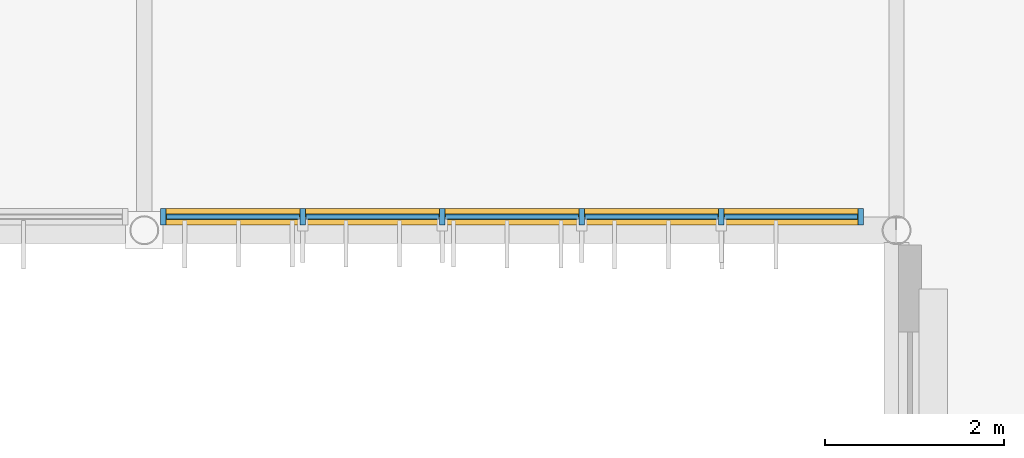
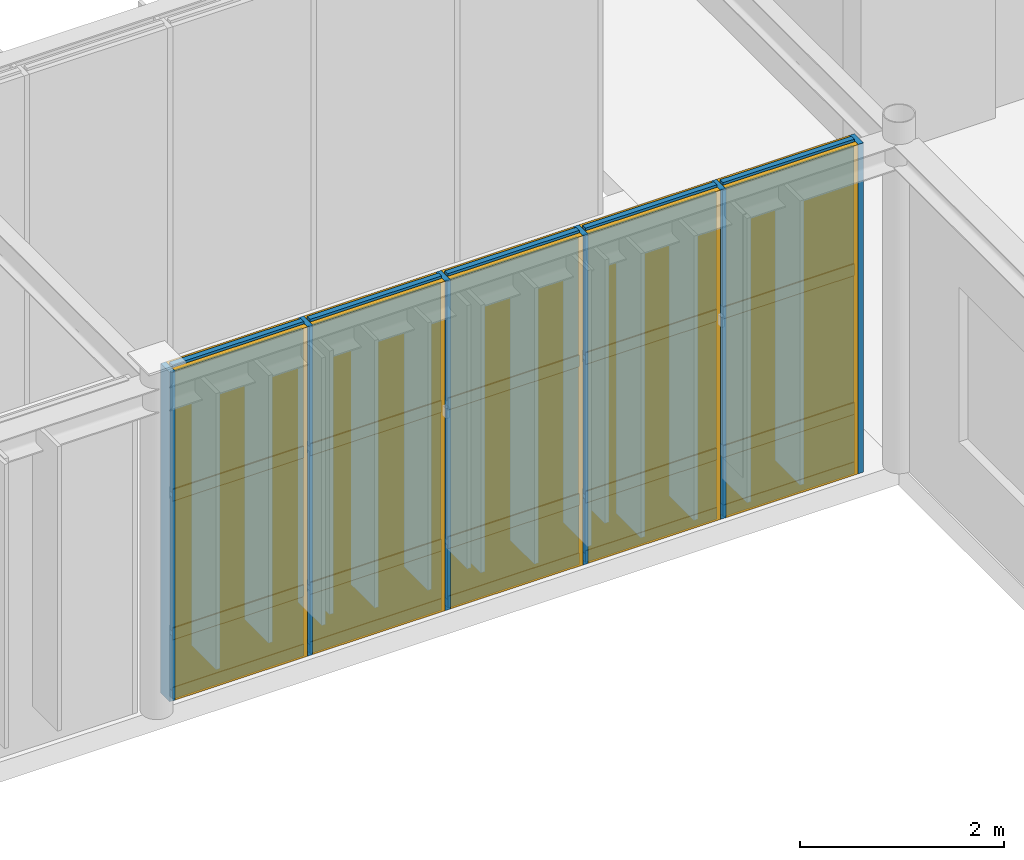
# One storey, part 90 of 122: 26 members, 15 plates, 1 curtain wall.
"""IFC4 building model written with IfcOpenShell, lengths in metres."""

from ifc_helpers import new_model, si_unit, direction, frame, frame_2d, origin, origin_2d, place, context, subcontext, project, spatial, rectangle, extrude, material, layer, layer_set, material_profile, profile_set, type_object, element, aggregate, save


model = new_model("IFC4")

# Units and contexts
model_context = context("Model", 3, precision=1e-05, world=origin(), true_north=direction((0.0, 1.0)))
body_context = subcontext(model_context, "Body", "Model", "MODEL_VIEW")
ifc_project = project(units=[si_unit("LENGTHUNIT", "METRE"), si_unit("AREAUNIT", "SQUARE_METRE"), si_unit("VOLUMEUNIT", "CUBIC_METRE"), si_unit("PLANEANGLEUNIT", "RADIAN"), si_unit("MASSUNIT", "GRAM", prefix="KILO")], contexts=[model_context])

# Member
ifc_material_1 = material(Name="Anodised Bronze Aluminium 6063-T6", Category="aluminium")
ifc_material_profile_1 = material_profile(ifc_material_1, rectangle(XDim=0.06005859375, YDim=0.179931640625, at=origin_2d()), Name="ALU MULLION 60x180")
ifc_profile_set_1 = profile_set([ifc_material_profile_1], Name="Anodised Bronze Aluminium 6063-T6")
member_type_1 = type_object("IfcMemberType", Name="Curtain-Wall Primary Mullion 60x180", PredefinedType="MULLION", material=ifc_profile_set_1)
site_placement = place(None, origin())
building_placement = place(site_placement, origin())
storey_placement = place(building_placement, frame((0.0, 0.0, 4.800048828125)))
member_1_placement = place(storey_placement, frame((117.2119140625, 44.75, 0.0), z_axis=(0.0, 0.0, 1.0), x_axis=(1.0, 0.0, 0.0)))
member_1 = element("IfcMember", 1, at=member_1_placement, type_object=member_type_1, Name="Mullion CWM-01 CW-ELNK-S-L01-B4-M01", PredefinedType="MULLION", context=body_context, shape_type="SweptSolid", body=[
    extrude(rectangle(XDim=0.06005859375, YDim=0.179931640625, at=origin_2d()), origin(), (0.0, 0.0, 1.0), 3.93994140625),
])

member_2_placement = place(storey_placement, frame((118.76953125, 44.75, 0.0), z_axis=(0.0, 0.0, 1.0), x_axis=(1.0, 0.0, 0.0)))
member_2 = element("IfcMember", 2, at=member_2_placement, type_object=member_type_1, Name="Mullion CWM-01 CW-ELNK-S-L01-B4-M02", PredefinedType="MULLION", context=body_context, shape_type="SweptSolid", body=[
    extrude(rectangle(XDim=0.06005859375, YDim=0.179931640625, at=origin_2d()), origin(), (0.0, 0.0, 1.0), 3.93994140625),
])

member_3_placement = place(storey_placement, frame((120.3271484375, 44.75, 0.0), z_axis=(0.0, 0.0, 1.0), x_axis=(1.0, 0.0, 0.0)))
member_3 = element("IfcMember", 3, at=member_3_placement, type_object=member_type_1, Name="Mullion CWM-01 CW-ELNK-S-L01-B4-M03", PredefinedType="MULLION", context=body_context, shape_type="SweptSolid", body=[
    extrude(rectangle(XDim=0.06005859375, YDim=0.179931640625, at=origin_2d()), origin(), (0.0, 0.0, 1.0), 3.93994140625),
])

member_4_placement = place(storey_placement, frame((121.884765625, 44.75, 0.0), z_axis=(0.0, 0.0, 1.0), x_axis=(1.0, 0.0, 0.0)))
member_4 = element("IfcMember", 4, at=member_4_placement, type_object=member_type_1, Name="Mullion CWM-01 CW-ELNK-S-L01-B4-M04", PredefinedType="MULLION", context=body_context, shape_type="SweptSolid", body=[
    extrude(rectangle(XDim=0.06005859375, YDim=0.179931640625, at=origin_2d()), origin(), (0.0, 0.0, 1.0), 3.93994140625),
])

member_5_placement = place(storey_placement, frame((123.4423828125, 44.75, 0.0), z_axis=(0.0, 0.0, 1.0), x_axis=(1.0, 0.0, 0.0)))
member_5 = element("IfcMember", 5, at=member_5_placement, type_object=member_type_1, Name="Mullion CWM-01 CW-ELNK-S-L01-B4-M05", PredefinedType="MULLION", context=body_context, shape_type="SweptSolid", body=[
    extrude(rectangle(XDim=0.06005859375, YDim=0.179931640625, at=origin_2d()), origin(), (0.0, 0.0, 1.0), 3.93994140625),
])

member_6_placement = place(storey_placement, frame((125.0, 44.75, 0.0), z_axis=(0.0, 0.0, 1.0), x_axis=(1.0, 0.0, 0.0)))
member_6 = element("IfcMember", 6, at=member_6_placement, type_object=member_type_1, Name="Mullion CWM-01 CW-ELNK-S-L01-B4-M06", PredefinedType="MULLION", context=body_context, shape_type="SweptSolid", body=[
    extrude(rectangle(XDim=0.06005859375, YDim=0.179931640625, at=origin_2d()), origin(), (0.0, 0.0, 1.0), 3.93994140625),
])

ifc_material_profile_2 = material_profile(ifc_material_1, rectangle(XDim=0.06005859375, YDim=0.139892578125, at=origin_2d()), Name="ALU TRANSOM 60x140")
ifc_profile_set_2 = profile_set([ifc_material_profile_2], Name="Anodised Bronze Aluminium 6063-T6")
member_type_2 = type_object("IfcMemberType", Name="Curtain-Wall Transom 60x140", PredefinedType="USERDEFINED", material=ifc_profile_set_2)
member_7_placement = place(storey_placement, frame((117.2470703125, 44.75, 0.0400390625), z_axis=(1.0, 0.0, 0.0), x_axis=(0.0, 1.0, 0.0)))
member_7 = element("IfcMember", 7, at=member_7_placement, type_object=member_type_2, Name="Transom CWT-01 CW-ELNK-S-L01-B4-T01.1", ObjectType="TRANSOM", PredefinedType="USERDEFINED", context=body_context, shape_type="SweptSolid", body=[
    extrude(rectangle(XDim=0.06005859375, YDim=0.139892578125, at=origin_2d()), origin(), (0.0, 0.0, 1.0), 1.487548828125),
])

member_8_placement = place(storey_placement, frame((117.2470703125, 44.75, 0.75), z_axis=(1.0, 0.0, 0.0), x_axis=(0.0, 1.0, 0.0)))
member_8 = element("IfcMember", 8, at=member_8_placement, type_object=member_type_2, Name="Transom CWT-01 CW-ELNK-S-L01-B4-T01.2", ObjectType="TRANSOM", PredefinedType="USERDEFINED", context=body_context, shape_type="SweptSolid", body=[
    extrude(rectangle(XDim=0.06005859375, YDim=0.139892578125, at=origin_2d()), origin(), (0.0, 0.0, 1.0), 1.487548828125),
])

member_9_placement = place(storey_placement, frame((117.2470703125, 44.75, 2.40869140625), z_axis=(1.0, 0.0, 0.0), x_axis=(0.0, 1.0, 0.0)))
member_9 = element("IfcMember", 9, at=member_9_placement, type_object=member_type_2, Name="Transom CWT-01 CW-ELNK-S-L01-B4-T01.3", ObjectType="TRANSOM", PredefinedType="USERDEFINED", context=body_context, shape_type="SweptSolid", body=[
    extrude(rectangle(XDim=0.06005859375, YDim=0.139892578125, at=origin_2d()), origin(), (0.0, 0.0, 1.0), 1.487548828125),
])

member_10_placement = place(storey_placement, frame((117.2470703125, 44.75, 3.89990234375), z_axis=(1.0, 0.0, 0.0), x_axis=(0.0, 1.0, 0.0)))
member_10 = element("IfcMember", 10, at=member_10_placement, type_object=member_type_2, Name="Transom CWT-01 CW-ELNK-S-L01-B4-T01.4", ObjectType="TRANSOM", PredefinedType="USERDEFINED", context=body_context, shape_type="SweptSolid", body=[
    extrude(rectangle(XDim=0.06005859375, YDim=0.139892578125, at=origin_2d()), origin(), (0.0, 0.0, 1.0), 1.487548828125),
])

member_11_placement = place(storey_placement, frame((118.8046875, 44.75, 0.0400390625), z_axis=(1.0, 0.0, 0.0), x_axis=(0.0, 1.0, 0.0)))
member_11 = element("IfcMember", 11, at=member_11_placement, type_object=member_type_2, Name="Transom CWT-01 CW-ELNK-S-L01-B4-T02.1", ObjectType="TRANSOM", PredefinedType="USERDEFINED", context=body_context, shape_type="SweptSolid", body=[
    extrude(rectangle(XDim=0.06005859375, YDim=0.139892578125, at=origin_2d()), origin(), (0.0, 0.0, 1.0), 1.487548828125),
])

member_12_placement = place(storey_placement, frame((118.8046875, 44.75, 0.75), z_axis=(1.0, 0.0, 0.0), x_axis=(0.0, 1.0, 0.0)))
member_12 = element("IfcMember", 12, at=member_12_placement, type_object=member_type_2, Name="Transom CWT-01 CW-ELNK-S-L01-B4-T02.2", ObjectType="TRANSOM", PredefinedType="USERDEFINED", context=body_context, shape_type="SweptSolid", body=[
    extrude(rectangle(XDim=0.06005859375, YDim=0.139892578125, at=origin_2d()), origin(), (0.0, 0.0, 1.0), 1.487548828125),
])

member_13_placement = place(storey_placement, frame((118.8046875, 44.75, 2.40869140625), z_axis=(1.0, 0.0, 0.0), x_axis=(0.0, 1.0, 0.0)))
member_13 = element("IfcMember", 13, at=member_13_placement, type_object=member_type_2, Name="Transom CWT-01 CW-ELNK-S-L01-B4-T02.3", ObjectType="TRANSOM", PredefinedType="USERDEFINED", context=body_context, shape_type="SweptSolid", body=[
    extrude(rectangle(XDim=0.06005859375, YDim=0.139892578125, at=origin_2d()), origin(), (0.0, 0.0, 1.0), 1.487548828125),
])

member_14_placement = place(storey_placement, frame((118.8046875, 44.75, 3.89990234375), z_axis=(1.0, 0.0, 0.0), x_axis=(0.0, 1.0, 0.0)))
member_14 = element("IfcMember", 14, at=member_14_placement, type_object=member_type_2, Name="Transom CWT-01 CW-ELNK-S-L01-B4-T02.4", ObjectType="TRANSOM", PredefinedType="USERDEFINED", context=body_context, shape_type="SweptSolid", body=[
    extrude(rectangle(XDim=0.06005859375, YDim=0.139892578125, at=origin_2d()), origin(), (0.0, 0.0, 1.0), 1.487548828125),
])

member_15_placement = place(storey_placement, frame((120.3623046875, 44.75, 0.0400390625), z_axis=(1.0, 0.0, 0.0), x_axis=(0.0, 1.0, 0.0)))
member_15 = element("IfcMember", 15, at=member_15_placement, type_object=member_type_2, Name="Transom CWT-01 CW-ELNK-S-L01-B4-T03.1", ObjectType="TRANSOM", PredefinedType="USERDEFINED", context=body_context, shape_type="SweptSolid", body=[
    extrude(rectangle(XDim=0.06005859375, YDim=0.139892578125, at=origin_2d()), origin(), (0.0, 0.0, 1.0), 1.487548828125),
])

member_16_placement = place(storey_placement, frame((120.3623046875, 44.75, 0.75), z_axis=(1.0, 0.0, 0.0), x_axis=(0.0, 1.0, 0.0)))
member_16 = element("IfcMember", 16, at=member_16_placement, type_object=member_type_2, Name="Transom CWT-01 CW-ELNK-S-L01-B4-T03.2", ObjectType="TRANSOM", PredefinedType="USERDEFINED", context=body_context, shape_type="SweptSolid", body=[
    extrude(rectangle(XDim=0.06005859375, YDim=0.139892578125, at=origin_2d()), origin(), (0.0, 0.0, 1.0), 1.487548828125),
])

member_17_placement = place(storey_placement, frame((120.3623046875, 44.75, 2.40869140625), z_axis=(1.0, 0.0, 0.0), x_axis=(0.0, 1.0, 0.0)))
member_17 = element("IfcMember", 17, at=member_17_placement, type_object=member_type_2, Name="Transom CWT-01 CW-ELNK-S-L01-B4-T03.3", ObjectType="TRANSOM", PredefinedType="USERDEFINED", context=body_context, shape_type="SweptSolid", body=[
    extrude(rectangle(XDim=0.06005859375, YDim=0.139892578125, at=origin_2d()), origin(), (0.0, 0.0, 1.0), 1.487548828125),
])

member_18_placement = place(storey_placement, frame((120.3623046875, 44.75, 3.89990234375), z_axis=(1.0, 0.0, 0.0), x_axis=(0.0, 1.0, 0.0)))
member_18 = element("IfcMember", 18, at=member_18_placement, type_object=member_type_2, Name="Transom CWT-01 CW-ELNK-S-L01-B4-T03.4", ObjectType="TRANSOM", PredefinedType="USERDEFINED", context=body_context, shape_type="SweptSolid", body=[
    extrude(rectangle(XDim=0.06005859375, YDim=0.139892578125, at=origin_2d()), origin(), (0.0, 0.0, 1.0), 1.487548828125),
])

member_19_placement = place(storey_placement, frame((121.919921875, 44.75, 0.0400390625), z_axis=(1.0, 0.0, 0.0), x_axis=(0.0, 1.0, 0.0)))
member_19 = element("IfcMember", 19, at=member_19_placement, type_object=member_type_2, Name="Transom CWT-01 CW-ELNK-S-L01-B4-T04.1", ObjectType="TRANSOM", PredefinedType="USERDEFINED", context=body_context, shape_type="SweptSolid", body=[
    extrude(rectangle(XDim=0.06005859375, YDim=0.139892578125, at=origin_2d()), origin(), (0.0, 0.0, 1.0), 1.487548828125),
])

member_20_placement = place(storey_placement, frame((121.919921875, 44.75, 0.75), z_axis=(1.0, 0.0, 0.0), x_axis=(0.0, 1.0, 0.0)))
member_20 = element("IfcMember", 20, at=member_20_placement, type_object=member_type_2, Name="Transom CWT-01 CW-ELNK-S-L01-B4-T04.2", ObjectType="TRANSOM", PredefinedType="USERDEFINED", context=body_context, shape_type="SweptSolid", body=[
    extrude(rectangle(XDim=0.06005859375, YDim=0.139892578125, at=origin_2d()), origin(), (0.0, 0.0, 1.0), 1.487548828125),
])

member_21_placement = place(storey_placement, frame((121.919921875, 44.75, 2.40869140625), z_axis=(1.0, 0.0, 0.0), x_axis=(0.0, 1.0, 0.0)))
member_21 = element("IfcMember", 21, at=member_21_placement, type_object=member_type_2, Name="Transom CWT-01 CW-ELNK-S-L01-B4-T04.3", ObjectType="TRANSOM", PredefinedType="USERDEFINED", context=body_context, shape_type="SweptSolid", body=[
    extrude(rectangle(XDim=0.06005859375, YDim=0.139892578125, at=origin_2d()), origin(), (0.0, 0.0, 1.0), 1.487548828125),
])

member_22_placement = place(storey_placement, frame((121.919921875, 44.75, 3.89990234375), z_axis=(1.0, 0.0, 0.0), x_axis=(0.0, 1.0, 0.0)))
member_22 = element("IfcMember", 22, at=member_22_placement, type_object=member_type_2, Name="Transom CWT-01 CW-ELNK-S-L01-B4-T04.4", ObjectType="TRANSOM", PredefinedType="USERDEFINED", context=body_context, shape_type="SweptSolid", body=[
    extrude(rectangle(XDim=0.06005859375, YDim=0.139892578125, at=origin_2d()), origin(), (0.0, 0.0, 1.0), 1.487548828125),
])

member_23_placement = place(storey_placement, frame((123.477294921875, 44.75, 0.0400390625), z_axis=(1.0, 0.0, 0.0), x_axis=(0.0, 1.0, 0.0)))
member_23 = element("IfcMember", 23, at=member_23_placement, type_object=member_type_2, Name="Transom CWT-01 CW-ELNK-S-L01-B4-T05.1", ObjectType="TRANSOM", PredefinedType="USERDEFINED", context=body_context, shape_type="SweptSolid", body=[
    extrude(rectangle(XDim=0.06005859375, YDim=0.139892578125, at=origin_2d()), origin(), (0.0, 0.0, 1.0), 1.48779296875),
])

member_24_placement = place(storey_placement, frame((123.477294921875, 44.75, 0.75), z_axis=(1.0, 0.0, 0.0), x_axis=(0.0, 1.0, 0.0)))
member_24 = element("IfcMember", 24, at=member_24_placement, type_object=member_type_2, Name="Transom CWT-01 CW-ELNK-S-L01-B4-T05.2", ObjectType="TRANSOM", PredefinedType="USERDEFINED", context=body_context, shape_type="SweptSolid", body=[
    extrude(rectangle(XDim=0.06005859375, YDim=0.139892578125, at=origin_2d()), origin(), (0.0, 0.0, 1.0), 1.48779296875),
])

member_25_placement = place(storey_placement, frame((123.477294921875, 44.75, 2.40869140625), z_axis=(1.0, 0.0, 0.0), x_axis=(0.0, 1.0, 0.0)))
member_25 = element("IfcMember", 25, at=member_25_placement, type_object=member_type_2, Name="Transom CWT-01 CW-ELNK-S-L01-B4-T05.3", ObjectType="TRANSOM", PredefinedType="USERDEFINED", context=body_context, shape_type="SweptSolid", body=[
    extrude(rectangle(XDim=0.06005859375, YDim=0.139892578125, at=origin_2d()), origin(), (0.0, 0.0, 1.0), 1.48779296875),
])

member_26_placement = place(storey_placement, frame((123.477294921875, 44.75, 3.89990234375), z_axis=(1.0, 0.0, 0.0), x_axis=(0.0, 1.0, 0.0)))
member_26 = element("IfcMember", 26, at=member_26_placement, type_object=member_type_2, Name="Transom CWT-01 CW-ELNK-S-L01-B4-T05.4", ObjectType="TRANSOM", PredefinedType="USERDEFINED", context=body_context, shape_type="SweptSolid", body=[
    extrude(rectangle(XDim=0.06005859375, YDim=0.139892578125, at=origin_2d()), origin(), (0.0, 0.0, 1.0), 1.48779296875),
])

# Plate
ifc_material_2 = material(Name="Insulated Bronze Aluminium Spandrel Panel", Category="aluminium")
ifc_layer_1 = layer(ifc_material_2, 0.050048828125, Name="Insulated Bronze Aluminium Spandrel Panel")
ifc_layer_set_1 = layer_set([ifc_layer_1], Name="Insulated Bronze Aluminium Spandrel Panel")
plate_type_1 = type_object("IfcPlateType", Name="Insulated Anodised Aluminium Spandrel Cassette 50", PredefinedType="CURTAIN_PANEL", material=ifc_layer_set_1)
plate_1_placement = place(storey_placement, frame((117.99072265625, 44.75, 0.070068359375), z_axis=(0.0, 0.0, 1.0), x_axis=(1.0, 0.0, 0.0)))
plate_1 = element("IfcPlate", 27, at=plate_1_placement, type_object=plate_type_1, Name="Curtain Panel CWP-03 CW-ELNK-S-L01-B4-P01.1", PredefinedType="CURTAIN_PANEL", context=body_context, shape_type="SweptSolid", body=[
    extrude(rectangle(XDim=1.487548828125, YDim=0.050048828125, at=origin_2d()), origin(), (0.0, 0.0, 1.0), 0.64990234375),
])

plate_2_placement = place(storey_placement, frame((119.54833984375, 44.75, 0.070068359375), z_axis=(0.0, 0.0, 1.0), x_axis=(1.0, 0.0, 0.0)))
plate_2 = element("IfcPlate", 28, at=plate_2_placement, type_object=plate_type_1, Name="Curtain Panel CWP-03 CW-ELNK-S-L01-B4-P02.1", PredefinedType="CURTAIN_PANEL", context=body_context, shape_type="SweptSolid", body=[
    extrude(rectangle(XDim=1.487548828125, YDim=0.050048828125, at=origin_2d()), origin(), (0.0, 0.0, 1.0), 0.64990234375),
])

plate_3_placement = place(storey_placement, frame((121.10595703125, 44.75, 0.070068359375), z_axis=(0.0, 0.0, 1.0), x_axis=(1.0, 0.0, 0.0)))
plate_3 = element("IfcPlate", 29, at=plate_3_placement, type_object=plate_type_1, Name="Curtain Panel CWP-03 CW-ELNK-S-L01-B4-P03.1", PredefinedType="CURTAIN_PANEL", context=body_context, shape_type="SweptSolid", body=[
    extrude(rectangle(XDim=1.487548828125, YDim=0.050048828125, at=origin_2d()), origin(), (0.0, 0.0, 1.0), 0.64990234375),
])

plate_4_placement = place(storey_placement, frame((122.66357421875, 44.75, 0.070068359375), z_axis=(0.0, 0.0, 1.0), x_axis=(1.0, 0.0, 0.0)))
plate_4 = element("IfcPlate", 30, at=plate_4_placement, type_object=plate_type_1, Name="Curtain Panel CWP-03 CW-ELNK-S-L01-B4-P04.1", PredefinedType="CURTAIN_PANEL", context=body_context, shape_type="SweptSolid", body=[
    extrude(rectangle(XDim=1.487548828125, YDim=0.050048828125, at=origin_2d()), origin(), (0.0, 0.0, 1.0), 0.64990234375),
])

plate_5_placement = place(storey_placement, frame((124.22119140625, 44.75, 0.070068359375), z_axis=(0.0, 0.0, 1.0), x_axis=(1.0, 0.0, 0.0)))
plate_5 = element("IfcPlate", 31, at=plate_5_placement, type_object=plate_type_1, Name="Curtain Panel CWP-03 CW-ELNK-S-L01-B4-P05.1", PredefinedType="CURTAIN_PANEL", context=body_context, shape_type="SweptSolid", body=[
    extrude(rectangle(XDim=1.487548828125, YDim=0.050048828125, at=origin_2d()), origin(), (0.0, 0.0, 1.0), 0.64990234375),
])

ifc_material_3 = material(Name="Solar-Control Tempered Double Glazing", Category="glass")
ifc_layer_2 = layer(ifc_material_3, 0.0380859375, Name="Solar-Control Tempered Double Glazing")
ifc_layer_set_2 = layer_set([ifc_layer_2], Name="Solar-Control Tempered Double Glazing")
plate_type_2 = type_object("IfcPlateType", Name="Solar-Control Vision Glazing Unit 38", PredefinedType="CURTAIN_PANEL", material=ifc_layer_set_2)
plate_6_placement = place(storey_placement, frame((117.99072265625, 44.75, 0.77978515625), z_axis=(0.0, 0.0, 1.0), x_axis=(1.0, 0.0, 0.0)))
plate_6 = element("IfcPlate", 32, at=plate_6_placement, type_object=plate_type_2, Name="Curtain Panel CWP-02 CW-ELNK-S-L01-B4-P01.2", PredefinedType="CURTAIN_PANEL", context=body_context, shape_type="SweptSolid", body=[
    extrude(rectangle(XDim=1.487548828125, YDim=0.0380859375, at=origin_2d()), origin(), (0.0, 0.0, 1.0), 1.598876953125),
])

plate_7_placement = place(storey_placement, frame((117.99072265625, 44.75, 2.438720703125), z_axis=(0.0, 0.0, 1.0), x_axis=(1.0, 0.0, 0.0)))
plate_7 = element("IfcPlate", 33, at=plate_7_placement, type_object=plate_type_2, Name="Curtain Panel CWP-02 CW-ELNK-S-L01-B4-P01.3", PredefinedType="CURTAIN_PANEL", context=body_context, shape_type="SweptSolid", body=[
    extrude(rectangle(XDim=1.487548828125, YDim=0.0380859375, at=origin_2d()), origin(), (0.0, 0.0, 1.0), 1.43115234375),
])

plate_8_placement = place(storey_placement, frame((119.54833984375, 44.75, 0.77978515625), z_axis=(0.0, 0.0, 1.0), x_axis=(1.0, 0.0, 0.0)))
plate_8 = element("IfcPlate", 34, at=plate_8_placement, type_object=plate_type_2, Name="Curtain Panel CWP-02 CW-ELNK-S-L01-B4-P02.2", PredefinedType="CURTAIN_PANEL", context=body_context, shape_type="SweptSolid", body=[
    extrude(rectangle(XDim=1.487548828125, YDim=0.0380859375, at=origin_2d()), origin(), (0.0, 0.0, 1.0), 1.598876953125),
])

plate_9_placement = place(storey_placement, frame((119.54833984375, 44.75, 2.438720703125), z_axis=(0.0, 0.0, 1.0), x_axis=(1.0, 0.0, 0.0)))
plate_9 = element("IfcPlate", 35, at=plate_9_placement, type_object=plate_type_2, Name="Curtain Panel CWP-02 CW-ELNK-S-L01-B4-P02.3", PredefinedType="CURTAIN_PANEL", context=body_context, shape_type="SweptSolid", body=[
    extrude(rectangle(XDim=1.487548828125, YDim=0.0380859375, at=origin_2d()), origin(), (0.0, 0.0, 1.0), 1.43115234375),
])

plate_10_placement = place(storey_placement, frame((121.10595703125, 44.75, 0.77978515625), z_axis=(0.0, 0.0, 1.0), x_axis=(1.0, 0.0, 0.0)))
plate_10 = element("IfcPlate", 36, at=plate_10_placement, type_object=plate_type_2, Name="Curtain Panel CWP-02 CW-ELNK-S-L01-B4-P03.2", PredefinedType="CURTAIN_PANEL", context=body_context, shape_type="SweptSolid", body=[
    extrude(rectangle(XDim=1.487548828125, YDim=0.0380859375, at=origin_2d()), origin(), (0.0, 0.0, 1.0), 1.598876953125),
])

plate_11_placement = place(storey_placement, frame((121.10595703125, 44.75, 2.438720703125), z_axis=(0.0, 0.0, 1.0), x_axis=(1.0, 0.0, 0.0)))
plate_11 = element("IfcPlate", 37, at=plate_11_placement, type_object=plate_type_2, Name="Curtain Panel CWP-02 CW-ELNK-S-L01-B4-P03.3", PredefinedType="CURTAIN_PANEL", context=body_context, shape_type="SweptSolid", body=[
    extrude(rectangle(XDim=1.487548828125, YDim=0.0380859375, at=origin_2d()), origin(), (0.0, 0.0, 1.0), 1.43115234375),
])

plate_12_placement = place(storey_placement, frame((122.66357421875, 44.75, 0.77978515625), z_axis=(0.0, 0.0, 1.0), x_axis=(1.0, 0.0, 0.0)))
plate_12 = element("IfcPlate", 38, at=plate_12_placement, type_object=plate_type_2, Name="Curtain Panel CWP-02 CW-ELNK-S-L01-B4-P04.2", PredefinedType="CURTAIN_PANEL", context=body_context, shape_type="SweptSolid", body=[
    extrude(rectangle(XDim=1.487548828125, YDim=0.0380859375, at=origin_2d()), origin(), (0.0, 0.0, 1.0), 1.598876953125),
])

plate_13_placement = place(storey_placement, frame((122.66357421875, 44.75, 2.438720703125), z_axis=(0.0, 0.0, 1.0), x_axis=(1.0, 0.0, 0.0)))
plate_13 = element("IfcPlate", 39, at=plate_13_placement, type_object=plate_type_2, Name="Curtain Panel CWP-02 CW-ELNK-S-L01-B4-P04.3", PredefinedType="CURTAIN_PANEL", context=body_context, shape_type="SweptSolid", body=[
    extrude(rectangle(XDim=1.487548828125, YDim=0.0380859375, at=origin_2d()), origin(), (0.0, 0.0, 1.0), 1.43115234375),
])

plate_14_placement = place(storey_placement, frame((124.22119140625, 44.75, 0.77978515625), z_axis=(0.0, 0.0, 1.0), x_axis=(1.0, 0.0, 0.0)))
plate_14 = element("IfcPlate", 40, at=plate_14_placement, type_object=plate_type_2, Name="Curtain Panel CWP-02 CW-ELNK-S-L01-B4-P05.2", PredefinedType="CURTAIN_PANEL", context=body_context, shape_type="SweptSolid", body=[
    extrude(rectangle(XDim=1.487548828125, YDim=0.0380859375, at=origin_2d()), origin(), (0.0, 0.0, 1.0), 1.598876953125),
])

plate_15_placement = place(storey_placement, frame((124.22119140625, 44.75, 2.438720703125), z_axis=(0.0, 0.0, 1.0), x_axis=(1.0, 0.0, 0.0)))
plate_15 = element("IfcPlate", 41, at=plate_15_placement, type_object=plate_type_2, Name="Curtain Panel CWP-02 CW-ELNK-S-L01-B4-P05.3", PredefinedType="CURTAIN_PANEL", context=body_context, shape_type="SweptSolid", body=[
    extrude(rectangle(XDim=1.487548828125, YDim=0.0380859375, at=origin_2d()), origin(), (0.0, 0.0, 1.0), 1.43115234375),
])

# Site, building, storey
site = spatial("IfcSite", under=ifc_project, at=site_placement, CompositionType="ELEMENT")
building = spatial("IfcBuilding", under=site, at=building_placement, Name="Tazoul Stagehouse", CompositionType="ELEMENT")
storey = spatial("IfcBuildingStorey", under=building, at=storey_placement, Name="L01", CompositionType="ELEMENT", Elevation=4.800048828125)

# Curtain wall
curtain_wall_type = type_object("IfcCurtainWallType", Name="Foyer Clear Solar-Control Curtain Wall", PredefinedType="NOTDEFINED", material=ifc_material_1)
curtain_wall_placement = place(storey_placement, frame((117.2119140625, 44.75, 0.0), z_axis=(0.0, 0.0, 1.0), x_axis=(1.0, 0.0, 0.0)))
curtain_wall = element("IfcCurtainWall", 42, at=curtain_wall_placement, inside=storey, type_object=curtain_wall_type, Name="L01 Curtain Wall CW-02 (CW-ELNK-S-L01-B4)", PredefinedType="NOTDEFINED", context=body_context, shape_type="SweptSolid", body=[
    extrude(rectangle(XDim=7.7880859375, YDim=0.179931640625, at=frame_2d((3.89404296875, 0.0))), origin(), (0.0, 0.0, 1.0), 3.93994140625),
])

aggregate(curtain_wall, [member_1, member_2, member_3, member_4, member_5, member_6, member_7, member_8, member_9, member_10, plate_1, plate_6, plate_7, member_11, member_12, member_13, member_14, plate_2, plate_8, plate_9, member_15, member_16, member_17, member_18, plate_3, plate_10, plate_11, member_19, member_20, member_21, member_22, plate_4, plate_12, plate_13, member_23, member_24, member_25, member_26, plate_5, plate_14, plate_15])

save(model, "model.ifc")
